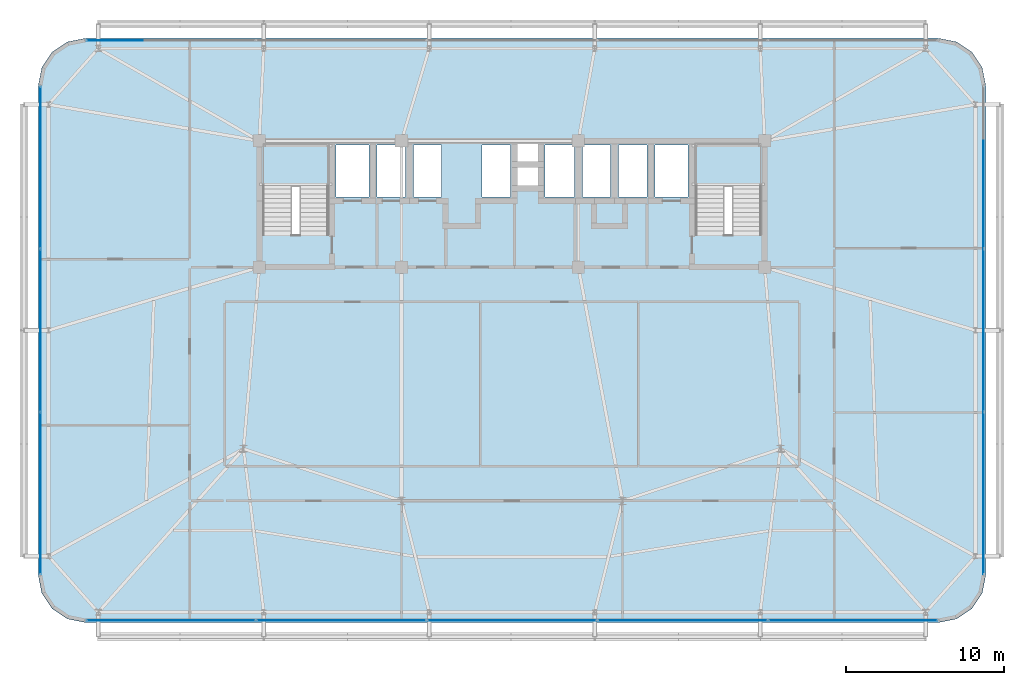
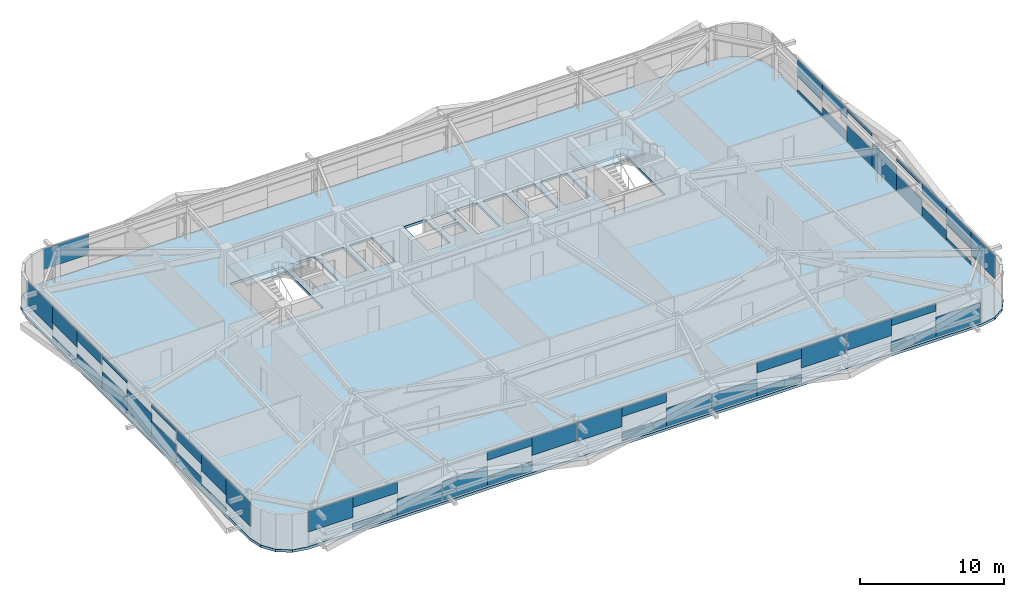
# One storey, part 29 of 44: 50 plates, 3 slabs, 6 elements without a shape of their own.
"""IFC4 building model written with IfcOpenShell, lengths in metres."""

import ifcopenshell
import ifcopenshell.guid

model = None  # the IFC model being written
_history = None  # IfcOwnerHistory: only IFC2X3 demands one
_inside = {}  # id of a spatial element -> (the spatial element, [elements in it])
_under = {}  # id of a project, library or spatial element -> (it, [spatial elements below it])
_declared = {}  # id of a project -> (the project, [libraries it declares])
_typed = {}  # id of a type object -> (the type object, [elements of that type])
_made_of = {}  # id of a material, layer set ... -> (it, [elements and type objects made of it])


def new_model(schema):
    """Start an empty IFC model of exactly this schema.

    Asked for "IFC4X3", IfcOpenShell would pick the latest addendum, in which some entities
    have other attributes; the version numbers below select the first issue.
    IFC2X3 requires an IfcOwnerHistory on every rooted entity: one is made here for all.
    """
    global model, _history
    if schema == "IFC4X3":
        model = ifcopenshell.file(schema_version=(4, 3, 0, 0))
    else:
        model = ifcopenshell.file(schema=schema)
    _inside.clear()
    _under.clear()
    _declared.clear()
    _typed.clear()
    _made_of.clear()
    _history = None
    if model.schema == "IFC2X3":
        org = make("IfcOrganization", Name="unknown")
        user = make(
            "IfcPersonAndOrganization",
            ThePerson=make("IfcPerson", FamilyName="unknown"),
            TheOrganization=org,
        )
        app = make(
            "IfcApplication",
            ApplicationDeveloper=org,
            Version="unknown",
            ApplicationFullName="unknown",
            ApplicationIdentifier="unknown",
        )
        _history = make(
            "IfcOwnerHistory",
            OwningUser=user,
            OwningApplication=app,
            ChangeAction="ADDED",
            CreationDate=0,
        )
    return model


def make(cls, **values):
    """One entity of the class cls with the attributes given. An attribute that is None is left unset."""
    return model.create_entity(
        cls, **{name: value for name, value in values.items() if value is not None}
    )


def rooted(cls, **values):
    """An entity with a GlobalId (a new one), such as an element, a storey or a relation."""
    return make(cls, GlobalId=ifcopenshell.guid.new(), OwnerHistory=_history, **values)


def si_unit(unit_type, name, prefix=None):
    """IfcSIUnit, for example si_unit("LENGTHUNIT", "METRE", prefix="MILLI")."""
    return make("IfcSIUnit", UnitType=unit_type, Prefix=prefix, Name=name)


def assignment(units):
    """IfcUnitAssignment: the units of a project."""
    return None if units is None else make("IfcUnitAssignment", Units=units)


def point(xyz):
    """IfcCartesianPoint."""
    return None if xyz is None else make("IfcCartesianPoint", Coordinates=xyz)


def direction(xyz):
    """IfcDirection."""
    return None if xyz is None else make("IfcDirection", DirectionRatios=xyz)


def frame(location, z_axis=None, x_axis=None):
    """IfcAxis2Placement3D, a coordinate frame: its origin and axes. An axis left out is left unset."""
    return make(
        "IfcAxis2Placement3D",
        Location=point(location),
        Axis=direction(z_axis),
        RefDirection=direction(x_axis),
    )


def frame_2d(location, x_axis=None):
    """IfcAxis2Placement2D, a coordinate frame in the plane: its origin and x axis."""
    return make(
        "IfcAxis2Placement2D", Location=point(location), RefDirection=direction(x_axis)
    )


def origin():
    """The frame at (0, 0, 0) with its axes left unset."""
    return frame((0.0, 0.0, 0.0))


def origin_2d():
    """The frame at (0, 0) in the plane with its x axis left unset."""
    return frame_2d((0.0, 0.0))


def place(relative_to, where):
    """IfcLocalPlacement: puts the frame where relative to a parent placement (None: the world)."""
    return make(
        "IfcLocalPlacement", PlacementRelTo=relative_to, RelativePlacement=where
    )


def context(
    kind, dimensions, precision=None, world=None, true_north=None, identifier=None
):
    """IfcGeometricRepresentationContext, for example the 3D "Model" context."""
    return make(
        "IfcGeometricRepresentationContext",
        ContextIdentifier=identifier,
        ContextType=kind,
        CoordinateSpaceDimension=dimensions,
        Precision=precision,
        WorldCoordinateSystem=world,
        TrueNorth=true_north,
    )


def subcontext(parent, identifier, kind, view, scale=None):
    """IfcGeometricRepresentationSubContext, for example "Body" below "Model"."""
    return make(
        "IfcGeometricRepresentationSubContext",
        ContextIdentifier=identifier,
        ContextType=kind,
        ParentContext=parent,
        TargetScale=scale,
        TargetView=view,
    )


def project(units=None, contexts=None):
    """IfcProject with its units and contexts."""
    return rooted(
        "IfcProject",
        Name="project",
        RepresentationContexts=contexts,
        UnitsInContext=assignment(units),
    )


def spatial(cls, under=None, at=None, **own):
    """A site, building, storey or space (cls), placed at a placement, below another one or the project."""
    s = rooted(cls, ObjectPlacement=at, **own)
    if under is not None:
        _under.setdefault(under.id(), (under, []))[1].append(s)
    return s


def polyline(points):
    """IfcPolyline through the points."""
    return make("IfcPolyline", Points=[point(p) for p in points])


def profile(cls, at=None, kind="AREA", **sizes):
    """A parametric profile (cls). Its sizes go by their IFC names, for example OverallWidth=200.0."""
    return make(cls, ProfileType=kind, Position=at, **sizes)


def rectangle(**sizes):
    """IfcRectangleProfileDef."""
    return profile("IfcRectangleProfileDef", **sizes)


def outline(outer, holes=None, kind="AREA"):
    """IfcArbitraryClosedProfileDef: a profile drawn as a closed curve; with holes, ...WithVoids."""
    if holes is None:
        return make("IfcArbitraryClosedProfileDef", ProfileType=kind, OuterCurve=outer)
    return make(
        "IfcArbitraryProfileDefWithVoids",
        ProfileType=kind,
        OuterCurve=outer,
        InnerCurves=holes,
    )


def extrude(swept, where, along, depth):
    """IfcExtrudedAreaSolid: the profile swept, set in the frame where, extruded along a direction by depth."""
    return make(
        "IfcExtrudedAreaSolid",
        SweptArea=swept,
        Position=where,
        ExtrudedDirection=direction(along),
        Depth=depth,
    )


def shape(context_of_items, identifier, shape_type, items):
    """IfcShapeRepresentation: the items that make up one representation, for example the "Body"."""
    return make(
        "IfcShapeRepresentation",
        ContextOfItems=context_of_items,
        RepresentationIdentifier=identifier,
        RepresentationType=shape_type,
        Items=items,
    )


def source(mapping_origin, context_of_items, identifier, shape_type, items):
    """IfcRepresentationMap: a shape defined once, which mapped items show again and again."""
    return make(
        "IfcRepresentationMap",
        MappingOrigin=mapping_origin,
        MappedRepresentation=shape(context_of_items, identifier, shape_type, items),
    )


def transform(
    local_origin,
    x_axis=None,
    y_axis=None,
    z_axis=None,
    scale=None,
    scale2=None,
    scale3=None,
    uniform=True,
):
    """IfcCartesianTransformationOperator3D, or its non-uniform kind. x_axis, y_axis, z_axis: its Axis1, 2, 3."""
    if uniform:
        return make(
            "IfcCartesianTransformationOperator3D",
            Axis1=direction(x_axis),
            Axis2=direction(y_axis),
            LocalOrigin=point(local_origin),
            Scale=scale,
            Axis3=direction(z_axis),
        )
    return make(
        "IfcCartesianTransformationOperator3DnonUniform",
        Axis1=direction(x_axis),
        Axis2=direction(y_axis),
        LocalOrigin=point(local_origin),
        Scale=scale,
        Axis3=direction(z_axis),
        Scale2=scale2,
        Scale3=scale3,
    )


def mapped(mapping_source, mapping_target):
    """IfcMappedItem: shows the shape of a source again, moved by a transform."""
    return make(
        "IfcMappedItem", MappingSource=mapping_source, MappingTarget=mapping_target
    )


def material(Name=None, Category=None):
    """IfcMaterial."""
    return make("IfcMaterial", Name=Name, Category=Category)


def layer(
    of_material, thickness, ventilated=None, Name=None, Category=None, Priority=None
):
    """IfcMaterialLayer: one layer of a wall or slab, of a material (None: an air gap)."""
    return make(
        "IfcMaterialLayer",
        Material=of_material,
        LayerThickness=thickness,
        IsVentilated=ventilated,
        Name=Name,
        Category=Category,
        Priority=Priority,
    )


def layer_set(layers, Name=None):
    """IfcMaterialLayerSet."""
    return make("IfcMaterialLayerSet", MaterialLayers=layers, LayerSetName=Name)


def made_of(thing, what):
    """Note that an element or type object is made of a material, layer set ...; save() writes the relation."""
    if what is not None:
        _made_of.setdefault(what.id(), (what, []))[1].append(thing)
    return thing


def type_object(cls, material=None, **own):
    """A type object (cls), such as IfcWallType, which elements share."""
    return made_of(rooted(cls, **own), material)


def element(
    cls,
    number,
    at=None,
    inside=None,
    cuts=None,
    type_object=None,
    material=None,
    context=None,
    identifier="Body",
    shape_type=None,
    held_by="IfcProductDefinitionShape",
    body=None,
    shapes=None,
    **own,
):
    """One element of the class cls, such as IfcWall. Its Tag is "e" and its number.

    at: its placement. inside: the storey or other place that contains it. cuts: it is an
    opening in that element (IfcRelVoidsElement). A single representation is given by context,
    identifier, shape_type and body (its items); several are given by shapes. held_by: the class
    of the entity that holds the representations. save() writes the other relations.
    """
    e = rooted(cls, Tag="e%d" % number, ObjectPlacement=at, **own)
    if body is not None:
        shapes = [shape(context, identifier, shape_type, body)]
    if shapes is not None:
        e.Representation = make(held_by, Representations=shapes)
    if inside is not None:
        _inside.setdefault(inside.id(), (inside, []))[1].append(e)
    if cuts is not None:
        rooted(
            "IfcRelVoidsElement", RelatingBuildingElement=cuts, RelatedOpeningElement=e
        )
    if type_object is not None:
        _typed.setdefault(type_object.id(), (type_object, []))[1].append(e)
    return made_of(e, material)


def aggregate(whole, parts):
    """IfcRelAggregates: a whole, such as a stair, and the parts it consists of."""
    return rooted("IfcRelAggregates", RelatingObject=whole, RelatedObjects=parts)


def save(model, path):
    """Write the relations noted so far, then the file.

    IfcRelAggregates (storeys below a building ...), IfcRelContainedInSpatialStructure (elements
    in a storey), IfcRelDefinesByType, IfcRelAssociatesMaterial and IfcRelDeclares: one each for
    every whole, place, type object, material and project.
    """
    for whole, parts in _under.values():
        aggregate(whole, parts)
    for where, things in _inside.values():
        rooted(
            "IfcRelContainedInSpatialStructure",
            RelatedElements=things,
            RelatingStructure=where,
        )
    for kind, things in _typed.values():
        rooted("IfcRelDefinesByType", RelatedObjects=things, RelatingType=kind)
    for what, things in _made_of.values():
        rooted("IfcRelAssociatesMaterial", RelatedObjects=things, RelatingMaterial=what)
    for by, libraries in _declared.values():
        rooted("IfcRelDeclares", RelatingContext=by, RelatedDefinitions=libraries)
    model.write(path)


model = new_model("IFC4")

# Units and contexts
model_context = context("Model", 3, precision=1e-05, world=origin(), true_north=direction((0.0, 1.0)))
body_context = subcontext(model_context, "Body", "Model", "MODEL_VIEW")
ifc_project = project(units=[si_unit("LENGTHUNIT", "METRE"), si_unit("AREAUNIT", "SQUARE_METRE"), si_unit("VOLUMEUNIT", "CUBIC_METRE"), si_unit("PLANEANGLEUNIT", "RADIAN"), si_unit("MASSUNIT", "GRAM", prefix="KILO")], contexts=[model_context])

# Site, building, storey
site_placement = place(None, origin())
site = spatial("IfcSite", under=ifc_project, at=site_placement, CompositionType="ELEMENT")
building_placement = place(site_placement, origin())
building = spatial("IfcBuilding", under=site, at=building_placement, Name="Taldren Reach Tower", CompositionType="ELEMENT")
storey_placement = place(building_placement, frame((0.0, 0.0, 42.0)))
storey = spatial("IfcBuildingStorey", under=building, at=storey_placement, Name="L12", CompositionType="ELEMENT", Elevation=42.0)

# Slab
ifc_material_1 = material(Name="Concrete N40 (40 MPa)", Category="concrete")
ifc_layer_1 = layer(ifc_material_1, 0.219970703125)
ifc_layer_set_1 = layer_set([ifc_layer_1], Name="Concrete N40 (40 MPa)")
slab_type_1 = type_object("IfcSlabType", Name="SL-FLR-220", PredefinedType="FLOOR", material=ifc_layer_set_1)
slab_1_placement = place(storey_placement, frame((0.0, 0.0, -0.219970703125)))
element("IfcSlab", 1, at=slab_1_placement, inside=storey, type_object=slab_type_1, Name="Suspended floor slab L12", PredefinedType="FLOOR", context=body_context, shape_type="SweptSolid", body=[
    extrude(outline(polyline([(62.0, 1.5), (63.14794921875, 1.728271484375), (64.121337890625, 2.378662109375), (64.771728515625, 3.35205078125), (65.0, 4.5), (65.0, 35.5), (64.771728515625, 36.64794921875), (64.121337890625, 37.621337890625), (63.14794921875, 38.271728515625), (62.0, 38.5), (8.0, 38.5), (6.85205078125, 38.271728515625), (5.878662109375, 37.621337890625), (5.228271484375, 36.64794921875), (5.0, 35.5), (5.0, 4.5), (5.228271484375, 3.35205078125), (5.878662109375, 2.378662109375), (6.85205078125, 1.728271484375), (8.0, 1.5), (62.0, 1.5)]), holes=[polyline([(19.219970703125, 26.050048828125), (23.3798828125, 26.050048828125), (23.3798828125, 31.820068359375), (19.219970703125, 31.820068359375), (19.219970703125, 26.050048828125)]), polyline([(46.6201171875, 26.050048828125), (50.780029296875, 26.050048828125), (50.780029296875, 31.820068359375), (46.6201171875, 31.820068359375), (46.6201171875, 26.050048828125)]), polyline([(23.85009765625, 28.449951171875), (25.949951171875, 28.449951171875), (25.949951171875, 31.75), (23.85009765625, 31.75), (23.85009765625, 28.449951171875)]), polyline([(44.050048828125, 28.449951171875), (46.14990234375, 28.449951171875), (46.14990234375, 31.75), (44.050048828125, 31.75), (44.050048828125, 28.449951171875)]), polyline([(26.449951171875, 28.449951171875), (28.25, 28.449951171875), (28.25, 31.75), (26.449951171875, 31.75), (26.449951171875, 28.449951171875)]), polyline([(28.75, 28.449951171875), (30.550048828125, 28.449951171875), (30.550048828125, 31.75), (28.75, 31.75), (28.75, 28.449951171875)]), polyline([(33.10009765625, 28.449951171875), (34.89990234375, 28.449951171875), (34.89990234375, 31.75), (33.10009765625, 31.75), (33.10009765625, 28.449951171875)]), polyline([(37.10009765625, 28.449951171875), (38.949951171875, 28.449951171875), (38.949951171875, 31.75), (37.10009765625, 31.75), (37.10009765625, 28.449951171875)]), polyline([(39.449951171875, 28.449951171875), (41.25, 28.449951171875), (41.25, 31.75), (39.449951171875, 31.75), (39.449951171875, 28.449951171875)]), polyline([(41.75, 28.449951171875), (43.550048828125, 28.449951171875), (43.550048828125, 31.75), (41.75, 31.75), (41.75, 28.449951171875)]), polyline([(35.35009765625, 30.64990234375), (36.64990234375, 30.64990234375), (36.64990234375, 31.85009765625), (35.35009765625, 31.85009765625), (35.35009765625, 30.64990234375)]), polyline([(35.35009765625, 29.14990234375), (36.64990234375, 29.14990234375), (36.64990234375, 30.35009765625), (35.35009765625, 30.35009765625), (35.35009765625, 29.14990234375)])]), origin(), (0.0, 0.0, 1.0), 0.219970703125),
])

# Stair, slab
ifc_material_2 = material(Name="Concrete S50 (50 MPa)", Category="concrete")
stair_type = type_object("IfcStairType", Name="ST-HT-315", PredefinedType="HALF_TURN_STAIR", material=ifc_material_2)
stair_1_placement = place(storey_placement, origin())
stair_1 = element("IfcStair", 2, at=stair_1_placement, inside=storey, type_object=stair_type, Name="Fire-isolated exit stair ST1 L12", PredefinedType="HALF_TURN_STAIR")
ifc_layer_2 = layer(ifc_material_2, 0.179931640625)
ifc_layer_set_2 = layer_set([ifc_layer_2], Name="Concrete S50 (50 MPa)")
slab_type_2 = type_object("IfcSlabType", Name="SL-LAND-180", PredefinedType="LANDING", material=ifc_layer_set_2)
slab_2_placement = place(storey_placement, frame((0.0, 0.0, 1.39501953125)))
slab_2 = element("IfcSlab", 3, at=slab_2_placement, type_object=slab_type_2, Name="ST1 landing 1", PredefinedType="LANDING", context=body_context, shape_type="SweptSolid", body=[
    extrude(outline(polyline([(19.0400390625, 29.135009765625), (23.56005859375, 29.135009765625), (23.56005859375, 31.8701171875), (19.0400390625, 31.8701171875), (19.0400390625, 29.135009765625)])), origin(), (0.0, 0.0, 1.0), 0.179931640625),
])
aggregate(stair_1, [slab_2])

stair_2_placement = place(storey_placement, origin())
stair_2 = element("IfcStair", 4, at=stair_2_placement, inside=storey, type_object=stair_type, Name="Fire-isolated exit stair ST2 L12", PredefinedType="HALF_TURN_STAIR")
slab_3_placement = place(storey_placement, frame((0.0, 0.0, 1.39501953125)))
slab_3 = element("IfcSlab", 5, at=slab_3_placement, type_object=slab_type_2, Name="ST2 landing 1", PredefinedType="LANDING", context=body_context, shape_type="SweptSolid", body=[
    extrude(outline(polyline([(46.43994140625, 29.135009765625), (50.9599609375, 29.135009765625), (50.9599609375, 31.8701171875), (46.43994140625, 31.8701171875), (46.43994140625, 29.135009765625)])), origin(), (0.0, 0.0, 1.0), 0.179931640625),
])
aggregate(stair_2, [slab_3])

# Curtain wall, plate
ifc_material_3 = material(Name="Aluminium and Low-E Glass Unitised System", Category="aluminium")
ifc_layer_3 = layer(ifc_material_3, 0.159912109375)
ifc_layer_set_3 = layer_set([ifc_layer_3], Name="Aluminium and Low-E Glass Unitised System")
curtain_wall_type = type_object("IfcCurtainWallType", Name="CW-SYS-2", PredefinedType="NOTDEFINED", material=ifc_layer_set_3)
curtain_wall_1_placement = place(storey_placement, origin())
curtain_wall_1 = element("IfcCurtainWall", 6, at=curtain_wall_1_placement, inside=storey, type_object=curtain_wall_type, Name="Unitised curtain wall CW-L12-S", PredefinedType="NOTDEFINED")
ifc_material_4 = material(Name="Solar-Control Double Glazed IGU", Category="glass")
ifc_layer_4 = layer(ifc_material_4, 0.031982421875)
ifc_layer_set_4 = layer_set([ifc_layer_4], Name="Solar-Control Double Glazed IGU")
plate_type = type_object("IfcPlateType", Name="CW-PNL-IGU32", PredefinedType="CURTAIN_PANEL", material=ifc_layer_set_4)
shared_shape_1 = source(origin(), body_context, "Body", "SweptSolid", [
    extrude(rectangle(XDim=3.5673828125, YDim=0.031982421875, at=origin_2d()), origin(), (0.0, 0.0, 1.0), 1.7314453125),
])
plate_1_placement = place(storey_placement, frame((9.8486328125, 1.639892578125, 1.1435546875), z_axis=(0.0, 0.0, 1.0), x_axis=(1.0, 0.0, 0.0)))
plate_1 = element("IfcPlate", 7, at=plate_1_placement, type_object=plate_type, Name="CW-2 panel 1.1 part 1", PredefinedType="CURTAIN_PANEL", context=body_context, shape_type="MappedRepresentation", body=[
    mapped(shared_shape_1, transform((0.0, 0.0, 0.0), scale=1.0)),
])

curtain_wall_2_placement = place(storey_placement, origin())
curtain_wall_2 = element("IfcCurtainWall", 8, at=curtain_wall_2_placement, inside=storey, type_object=curtain_wall_type, Name="Unitised curtain wall CW-L12-N", PredefinedType="NOTDEFINED")
plate_2_placement = place(storey_placement, frame((9.8486328125, 38.360107421875, 1.1435546875), z_axis=(0.0, 0.0, 1.0), x_axis=(-1.0, 0.0, 0.0)))
plate_2 = element("IfcPlate", 9, at=plate_2_placement, type_object=plate_type, Name="CW-2 panel 5.1 part 4", PredefinedType="CURTAIN_PANEL", context=body_context, shape_type="MappedRepresentation", body=[
    mapped(shared_shape_1, transform((0.0, 0.0, 0.0), scale=1.0)),
])
aggregate(curtain_wall_2, [plate_2])

# Plate
shared_shape_2 = source(origin(), body_context, "Body", "SweptSolid", [
    extrude(rectangle(XDim=3.5673828125, YDim=0.031982421875, at=origin_2d()), origin(), (0.0, 0.0, 1.0), 0.554931640625),
])
plate_3_placement = place(storey_placement, frame((13.416259765625, 1.639892578125, 0.05517578125), z_axis=(0.0, 0.0, 1.0), x_axis=(1.0, 0.0, 0.0)))
plate_3 = element("IfcPlate", 10, at=plate_3_placement, type_object=plate_type, Name="CW-2 panel 1.1 part 2", PredefinedType="CURTAIN_PANEL", context=body_context, shape_type="MappedRepresentation", body=[
    mapped(shared_shape_2, transform((0.0, 0.0, 0.0), scale=1.0)),
])

shared_shape_3 = source(origin(), body_context, "Body", "SweptSolid", [
    extrude(rectangle(XDim=3.5673828125, YDim=0.031982421875, at=origin_2d()), origin(), (0.0, 0.0, 1.0), 0.904296875),
])
plate_4_placement = place(storey_placement, frame((13.416259765625, 1.639892578125, 1.970703125), z_axis=(0.0, 0.0, 1.0), x_axis=(1.0, 0.0, 0.0)))
plate_4 = element("IfcPlate", 11, at=plate_4_placement, type_object=plate_type, Name="CW-2 panel 1.1 part 3", PredefinedType="CURTAIN_PANEL", context=body_context, shape_type="MappedRepresentation", body=[
    mapped(shared_shape_3, transform((0.0, 0.0, 0.0), scale=1.0)),
])

shared_shape_4 = source(origin(), body_context, "Body", "SweptSolid", [
    extrude(rectangle(XDim=3.5673828125, YDim=0.031982421875, at=origin_2d()), origin(), (0.0, 0.0, 1.0), 1.38232421875),
])
plate_5_placement = place(storey_placement, frame((16.983642578125, 1.639892578125, 0.054931640625), z_axis=(0.0, 0.0, 1.0), x_axis=(1.0, 0.0, 0.0)))
plate_5 = element("IfcPlate", 12, at=plate_5_placement, type_object=plate_type, Name="CW-2 panel 1.1 part 4", PredefinedType="CURTAIN_PANEL", context=body_context, shape_type="MappedRepresentation", body=[
    mapped(shared_shape_4, transform((0.0, 0.0, 0.0), scale=1.0)),
])

shared_shape_5 = source(origin(), body_context, "Body", "SweptSolid", [
    extrude(rectangle(XDim=3.578369140625, YDim=0.031982421875, at=origin_2d()), origin(), (0.0, 0.0, 1.0), 1.602294921875),
])
plate_6_placement = place(storey_placement, frame((20.62158203125, 1.639892578125, 0.05517578125), z_axis=(0.0, 0.0, 1.0), x_axis=(1.0, 0.0, 0.0)))
plate_6 = element("IfcPlate", 13, at=plate_6_placement, type_object=plate_type, Name="CW-2 panel 2.1 part 1", PredefinedType="CURTAIN_PANEL", context=body_context, shape_type="MappedRepresentation", body=[
    mapped(shared_shape_5, transform((0.0, 0.0, 0.0), scale=1.0)),
])

shared_shape_6 = source(origin(), body_context, "Body", "SweptSolid", [
    extrude(rectangle(XDim=3.578369140625, YDim=0.031982421875, at=origin_2d()), origin(), (0.0, 0.0, 1.0), 0.7724609375),
])
plate_7_placement = place(storey_placement, frame((24.199951171875, 1.639892578125, 0.05517578125), z_axis=(0.0, 0.0, 1.0), x_axis=(1.0, 0.0, 0.0)))
plate_7 = element("IfcPlate", 14, at=plate_7_placement, type_object=plate_type, Name="CW-2 panel 2.1 part 2", PredefinedType="CURTAIN_PANEL", context=body_context, shape_type="MappedRepresentation", body=[
    mapped(shared_shape_6, transform((0.0, 0.0, 0.0), scale=1.0)),
])

shared_shape_7 = source(origin(), body_context, "Body", "SweptSolid", [
    extrude(rectangle(XDim=3.578369140625, YDim=0.031982421875, at=origin_2d()), origin(), (0.0, 0.0, 1.0), 0.68408203125),
])
plate_8_placement = place(storey_placement, frame((24.199951171875, 1.639892578125, 2.19091796875), z_axis=(0.0, 0.0, 1.0), x_axis=(1.0, 0.0, 0.0)))
plate_8 = element("IfcPlate", 15, at=plate_8_placement, type_object=plate_type, Name="CW-2 panel 2.1 part 3", PredefinedType="CURTAIN_PANEL", context=body_context, shape_type="MappedRepresentation", body=[
    mapped(shared_shape_7, transform((0.0, 0.0, 0.0), scale=1.0)),
])

shared_shape_8 = source(origin(), body_context, "Body", "SweptSolid", [
    extrude(rectangle(XDim=3.578369140625, YDim=0.031982421875, at=origin_2d()), origin(), (0.0, 0.0, 1.0), 1.513916015625),
])
plate_9_placement = place(storey_placement, frame((27.7783203125, 1.639892578125, 1.361328125), z_axis=(0.0, 0.0, 1.0), x_axis=(1.0, 0.0, 0.0)))
plate_9 = element("IfcPlate", 16, at=plate_9_placement, type_object=plate_type, Name="CW-2 panel 2.1 part 4", PredefinedType="CURTAIN_PANEL", context=body_context, shape_type="MappedRepresentation", body=[
    mapped(shared_shape_8, transform((0.0, 0.0, 0.0), scale=1.0)),
])

shared_shape_9 = source(origin(), body_context, "Body", "SweptSolid", [
    extrude(rectangle(XDim=3.578369140625, YDim=0.031982421875, at=origin_2d()), origin(), (0.0, 0.0, 1.0), 1.588134765625),
])
plate_10_placement = place(storey_placement, frame((31.421630859375, 1.639892578125, 1.287109375), z_axis=(0.0, 0.0, 1.0), x_axis=(1.0, 0.0, 0.0)))
plate_10 = element("IfcPlate", 17, at=plate_10_placement, type_object=plate_type, Name="CW-2 panel 3.1 part 1", PredefinedType="CURTAIN_PANEL", context=body_context, shape_type="MappedRepresentation", body=[
    mapped(shared_shape_9, transform((0.0, 0.0, 0.0), scale=1.0)),
])

shared_shape_10 = source(origin(), body_context, "Body", "SweptSolid", [
    extrude(rectangle(XDim=3.578369140625, YDim=0.031982421875, at=origin_2d()), origin(), (0.0, 0.0, 1.0), 0.698486328125),
])
plate_11_placement = place(storey_placement, frame((35.0, 1.639892578125, 0.05517578125), z_axis=(0.0, 0.0, 1.0), x_axis=(1.0, 0.0, 0.0)))
plate_11 = element("IfcPlate", 18, at=plate_11_placement, type_object=plate_type, Name="CW-2 panel 3.1 part 2", PredefinedType="CURTAIN_PANEL", context=body_context, shape_type="MappedRepresentation", body=[
    mapped(shared_shape_10, transform((0.0, 0.0, 0.0), scale=1.0)),
])

shared_shape_11 = source(origin(), body_context, "Body", "SweptSolid", [
    extrude(rectangle(XDim=3.578369140625, YDim=0.031982421875, at=origin_2d()), origin(), (0.0, 0.0, 1.0), 0.75830078125),
])
plate_12_placement = place(storey_placement, frame((35.0, 1.639892578125, 2.11669921875), z_axis=(0.0, 0.0, 1.0), x_axis=(1.0, 0.0, 0.0)))
plate_12 = element("IfcPlate", 19, at=plate_12_placement, type_object=plate_type, Name="CW-2 panel 3.1 part 3", PredefinedType="CURTAIN_PANEL", context=body_context, shape_type="MappedRepresentation", body=[
    mapped(shared_shape_11, transform((0.0, 0.0, 0.0), scale=1.0)),
])

shared_shape_12 = source(origin(), body_context, "Body", "SweptSolid", [
    extrude(rectangle(XDim=3.578369140625, YDim=0.031982421875, at=origin_2d()), origin(), (0.0, 0.0, 1.0), 1.528076171875),
])
plate_13_placement = place(storey_placement, frame((38.578369140625, 1.639892578125, 0.05517578125), z_axis=(0.0, 0.0, 1.0), x_axis=(1.0, 0.0, 0.0)))
plate_13 = element("IfcPlate", 20, at=plate_13_placement, type_object=plate_type, Name="CW-2 panel 3.1 part 4", PredefinedType="CURTAIN_PANEL", context=body_context, shape_type="MappedRepresentation", body=[
    mapped(shared_shape_12, transform((0.0, 0.0, 0.0), scale=1.0)),
])

shared_shape_13 = source(origin(), body_context, "Body", "SweptSolid", [
    extrude(rectangle(XDim=3.578369140625, YDim=0.031982421875, at=origin_2d()), origin(), (0.0, 0.0, 1.0), 1.453857421875),
])
plate_14_placement = place(storey_placement, frame((42.2216796875, 1.639892578125, 0.05517578125), z_axis=(0.0, 0.0, 1.0), x_axis=(1.0, 0.0, 0.0)))
plate_14 = element("IfcPlate", 21, at=plate_14_placement, type_object=plate_type, Name="CW-2 panel 4.1 part 1", PredefinedType="CURTAIN_PANEL", context=body_context, shape_type="MappedRepresentation", body=[
    mapped(shared_shape_13, transform((0.0, 0.0, 0.0), scale=1.0)),
])

shared_shape_14 = source(origin(), body_context, "Body", "SweptSolid", [
    extrude(rectangle(XDim=3.578369140625, YDim=0.031982421875, at=origin_2d()), origin(), (0.0, 0.0, 1.0), 0.624267578125),
])
plate_15_placement = place(storey_placement, frame((45.800048828125, 1.639892578125, 0.05517578125), z_axis=(0.0, 0.0, 1.0), x_axis=(1.0, 0.0, 0.0)))
plate_15 = element("IfcPlate", 22, at=plate_15_placement, type_object=plate_type, Name="CW-2 panel 4.1 part 2", PredefinedType="CURTAIN_PANEL", context=body_context, shape_type="MappedRepresentation", body=[
    mapped(shared_shape_14, transform((0.0, 0.0, 0.0), scale=1.0)),
])

shared_shape_15 = source(origin(), body_context, "Body", "SweptSolid", [
    extrude(rectangle(XDim=3.578369140625, YDim=0.031982421875, at=origin_2d()), origin(), (0.0, 0.0, 1.0), 0.83251953125),
])
plate_16_placement = place(storey_placement, frame((45.800048828125, 1.639892578125, 2.04248046875), z_axis=(0.0, 0.0, 1.0), x_axis=(1.0, 0.0, 0.0)))
plate_16 = element("IfcPlate", 23, at=plate_16_placement, type_object=plate_type, Name="CW-2 panel 4.1 part 3", PredefinedType="CURTAIN_PANEL", context=body_context, shape_type="MappedRepresentation", body=[
    mapped(shared_shape_15, transform((0.0, 0.0, 0.0), scale=1.0)),
])

shared_shape_16 = source(origin(), body_context, "Body", "SweptSolid", [
    extrude(rectangle(XDim=3.578369140625, YDim=0.031982421875, at=origin_2d()), origin(), (0.0, 0.0, 1.0), 1.662353515625),
])
plate_17_placement = place(storey_placement, frame((49.37841796875, 1.639892578125, 1.212890625), z_axis=(0.0, 0.0, 1.0), x_axis=(1.0, 0.0, 0.0)))
plate_17 = element("IfcPlate", 24, at=plate_17_placement, type_object=plate_type, Name="CW-2 panel 4.1 part 4", PredefinedType="CURTAIN_PANEL", context=body_context, shape_type="MappedRepresentation", body=[
    mapped(shared_shape_16, transform((0.0, 0.0, 0.0), scale=1.0)),
])

shared_shape_17 = source(origin(), body_context, "Body", "SweptSolid", [
    extrude(rectangle(XDim=3.5673828125, YDim=0.031982421875, at=origin_2d()), origin(), (0.0, 0.0, 1.0), 1.442138671875),
])
plate_18_placement = place(storey_placement, frame((53.016357421875, 1.639892578125, 1.4326171875), z_axis=(0.0, 0.0, 1.0), x_axis=(1.0, 0.0, 0.0)))
plate_18 = element("IfcPlate", 25, at=plate_18_placement, type_object=plate_type, Name="CW-2 panel 5.1 part 1", PredefinedType="CURTAIN_PANEL", context=body_context, shape_type="MappedRepresentation", body=[
    mapped(shared_shape_17, transform((0.0, 0.0, 0.0), scale=1.0)),
])

shared_shape_18 = source(origin(), body_context, "Body", "SweptSolid", [
    extrude(rectangle(XDim=3.5673828125, YDim=0.031982421875, at=origin_2d()), origin(), (0.0, 0.0, 1.0), 0.84423828125),
])
plate_19_placement = place(storey_placement, frame((56.583740234375, 1.639892578125, 0.054931640625), z_axis=(0.0, 0.0, 1.0), x_axis=(1.0, 0.0, 0.0)))
plate_19 = element("IfcPlate", 26, at=plate_19_placement, type_object=plate_type, Name="CW-2 panel 5.1 part 2", PredefinedType="CURTAIN_PANEL", context=body_context, shape_type="MappedRepresentation", body=[
    mapped(shared_shape_18, transform((0.0, 0.0, 0.0), scale=1.0)),
])

shared_shape_19 = source(origin(), body_context, "Body", "SweptSolid", [
    extrude(rectangle(XDim=3.5673828125, YDim=0.031982421875, at=origin_2d()), origin(), (0.0, 0.0, 1.0), 0.614990234375),
])
plate_20_placement = place(storey_placement, frame((56.583740234375, 1.639892578125, 2.259765625), z_axis=(0.0, 0.0, 1.0), x_axis=(1.0, 0.0, 0.0)))
plate_20 = element("IfcPlate", 27, at=plate_20_placement, type_object=plate_type, Name="CW-2 panel 5.1 part 3", PredefinedType="CURTAIN_PANEL", context=body_context, shape_type="MappedRepresentation", body=[
    mapped(shared_shape_19, transform((0.0, 0.0, 0.0), scale=1.0)),
])

shared_shape_20 = source(origin(), body_context, "Body", "SweptSolid", [
    extrude(rectangle(XDim=3.5673828125, YDim=0.031982421875, at=origin_2d()), origin(), (0.0, 0.0, 1.0), 1.67138671875),
])
plate_21_placement = place(storey_placement, frame((60.1513671875, 1.639892578125, 0.054931640625), z_axis=(0.0, 0.0, 1.0), x_axis=(1.0, 0.0, 0.0)))
plate_21 = element("IfcPlate", 28, at=plate_21_placement, type_object=plate_type, Name="CW-2 panel 5.1 part 4", PredefinedType="CURTAIN_PANEL", context=body_context, shape_type="MappedRepresentation", body=[
    mapped(shared_shape_20, transform((0.0, 0.0, 0.0), scale=1.0)),
])

aggregate(curtain_wall_1, [plate_1, plate_3, plate_4, plate_5, plate_6, plate_7, plate_8, plate_9, plate_10, plate_11, plate_12, plate_13, plate_14, plate_15, plate_16, plate_17, plate_18, plate_19, plate_20, plate_21])

# Curtain wall, plates
curtain_wall_3_placement = place(storey_placement, origin())
curtain_wall_3 = element("IfcCurtainWall", 29, at=curtain_wall_3_placement, inside=storey, type_object=curtain_wall_type, Name="Unitised curtain wall CW-L12-W", PredefinedType="NOTDEFINED")
shared_shape_21 = source(origin(), body_context, "Body", "SweptSolid", [
    extrude(rectangle(XDim=3.411865234375, YDim=0.031982421875, at=origin_2d()), origin(), (0.0, 0.0, 1.0), 2.00439453125),
])
plate_22_placement = place(storey_placement, frame((5.139892578125, 33.72900390625, 0.87060546875), z_axis=(0.0, 0.0, 1.0), x_axis=(0.0, -1.0, 0.0)))
plate_22 = element("IfcPlate", 30, at=plate_22_placement, type_object=plate_type, Name="CW-2 panel 1.1 part 1", PredefinedType="CURTAIN_PANEL", context=body_context, shape_type="MappedRepresentation", body=[
    mapped(shared_shape_21, transform((0.0, 0.0, 0.0), scale=1.0)),
])
plate_23_placement = place(storey_placement, frame((5.139892578125, 6.27099609375, 0.87060546875), z_axis=(0.0, 0.0, 1.0), x_axis=(0.0, -1.0, 0.0)))
plate_23 = element("IfcPlate", 31, at=plate_23_placement, type_object=plate_type, Name="CW-2 panel 3.1 part 5", PredefinedType="CURTAIN_PANEL", context=body_context, shape_type="MappedRepresentation", body=[
    mapped(shared_shape_21, transform((0.0, 0.0, 0.0), scale=1.0)),
])

# Curtain wall, plate
curtain_wall_4_placement = place(storey_placement, origin())
curtain_wall_4 = element("IfcCurtainWall", 32, at=curtain_wall_4_placement, inside=storey, type_object=curtain_wall_type, Name="Unitised curtain wall CW-L12-E", PredefinedType="NOTDEFINED")
plate_24_placement = place(storey_placement, frame((64.860107421875, 6.27099609375, 0.87060546875), z_axis=(0.0, 0.0, 1.0), x_axis=(0.0, 1.0, 0.0)))
plate_24 = element("IfcPlate", 33, at=plate_24_placement, type_object=plate_type, Name="CW-2 panel 1.1 part 1", PredefinedType="CURTAIN_PANEL", context=body_context, shape_type="MappedRepresentation", body=[
    mapped(shared_shape_21, transform((0.0, 0.0, 0.0), scale=1.0)),
])

# Plate
shared_shape_22 = source(origin(), body_context, "Body", "SweptSolid", [
    extrude(rectangle(XDim=3.411865234375, YDim=0.031982421875, at=origin_2d()), origin(), (0.0, 0.0, 1.0), 0.288330078125),
])
plate_25_placement = place(storey_placement, frame((5.139892578125, 30.317138671875, 0.05517578125), z_axis=(0.0, 0.0, 1.0), x_axis=(0.0, -1.0, 0.0)))
plate_25 = element("IfcPlate", 34, at=plate_25_placement, type_object=plate_type, Name="CW-2 panel 1.1 part 2", PredefinedType="CURTAIN_PANEL", context=body_context, shape_type="MappedRepresentation", body=[
    mapped(shared_shape_22, transform((0.0, 0.0, 0.0), scale=1.0)),
])

plate_26_placement = place(storey_placement, frame((5.139892578125, 9.682861328125, 0.05517578125), z_axis=(0.0, 0.0, 1.0), x_axis=(0.0, -1.0, 0.0)))
plate_26 = element("IfcPlate", 35, at=plate_26_placement, type_object=plate_type, Name="CW-2 panel 3.1 part 3", PredefinedType="CURTAIN_PANEL", context=body_context, shape_type="MappedRepresentation", body=[
    mapped(shared_shape_22, transform((0.0, 0.0, 0.0), scale=1.0)),
])

plate_27_placement = place(storey_placement, frame((64.860107421875, 9.682861328125, 0.05517578125), z_axis=(0.0, 0.0, 1.0), x_axis=(0.0, 1.0, 0.0)))
plate_27 = element("IfcPlate", 36, at=plate_27_placement, type_object=plate_type, Name="CW-2 panel 1.1 part 2", PredefinedType="CURTAIN_PANEL", context=body_context, shape_type="MappedRepresentation", body=[
    mapped(shared_shape_22, transform((0.0, 0.0, 0.0), scale=1.0)),
])

plate_28_placement = place(storey_placement, frame((64.860107421875, 30.317138671875, 0.05517578125), z_axis=(0.0, 0.0, 1.0), x_axis=(0.0, 1.0, 0.0)))
plate_28 = element("IfcPlate", 37, at=plate_28_placement, type_object=plate_type, Name="CW-2 panel 3.1 part 3", PredefinedType="CURTAIN_PANEL", context=body_context, shape_type="MappedRepresentation", body=[
    mapped(shared_shape_22, transform((0.0, 0.0, 0.0), scale=1.0)),
])

shared_shape_23 = source(origin(), body_context, "Body", "SweptSolid", [
    extrude(rectangle(XDim=3.411865234375, YDim=0.031982421875, at=origin_2d()), origin(), (0.0, 0.0, 1.0), 1.424560546875),
])
plate_29_placement = place(storey_placement, frame((5.139892578125, 30.317138671875, 1.4501953125), z_axis=(0.0, 0.0, 1.0), x_axis=(0.0, -1.0, 0.0)))
plate_29 = element("IfcPlate", 38, at=plate_29_placement, type_object=plate_type, Name="CW-2 panel 1.1 part 3", PredefinedType="CURTAIN_PANEL", context=body_context, shape_type="MappedRepresentation", body=[
    mapped(shared_shape_23, transform((0.0, 0.0, 0.0), scale=1.0)),
])

plate_30_placement = place(storey_placement, frame((5.139892578125, 9.682861328125, 1.4501953125), z_axis=(0.0, 0.0, 1.0), x_axis=(0.0, -1.0, 0.0)))
plate_30 = element("IfcPlate", 39, at=plate_30_placement, type_object=plate_type, Name="CW-2 panel 3.1 part 4", PredefinedType="CURTAIN_PANEL", context=body_context, shape_type="MappedRepresentation", body=[
    mapped(shared_shape_23, transform((0.0, 0.0, 0.0), scale=1.0)),
])

plate_31_placement = place(storey_placement, frame((64.860107421875, 9.682861328125, 1.4501953125), z_axis=(0.0, 0.0, 1.0), x_axis=(0.0, 1.0, 0.0)))
plate_31 = element("IfcPlate", 40, at=plate_31_placement, type_object=plate_type, Name="CW-2 panel 1.1 part 3", PredefinedType="CURTAIN_PANEL", context=body_context, shape_type="MappedRepresentation", body=[
    mapped(shared_shape_23, transform((0.0, 0.0, 0.0), scale=1.0)),
])

plate_32_placement = place(storey_placement, frame((64.860107421875, 30.317138671875, 1.4501953125), z_axis=(0.0, 0.0, 1.0), x_axis=(0.0, 1.0, 0.0)))
plate_32 = element("IfcPlate", 41, at=plate_32_placement, type_object=plate_type, Name="CW-2 panel 3.1 part 4", PredefinedType="CURTAIN_PANEL", context=body_context, shape_type="MappedRepresentation", body=[
    mapped(shared_shape_23, transform((0.0, 0.0, 0.0), scale=1.0)),
])

shared_shape_24 = source(origin(), body_context, "Body", "SweptSolid", [
    extrude(rectangle(XDim=3.411865234375, YDim=0.031982421875, at=origin_2d()), origin(), (0.0, 0.0, 1.0), 0.8681640625),
])
plate_33_placement = place(storey_placement, frame((5.139892578125, 26.905029296875, 0.054931640625), z_axis=(0.0, 0.0, 1.0), x_axis=(0.0, -1.0, 0.0)))
plate_33 = element("IfcPlate", 42, at=plate_33_placement, type_object=plate_type, Name="CW-2 panel 1.1 part 4", PredefinedType="CURTAIN_PANEL", context=body_context, shape_type="MappedRepresentation", body=[
    mapped(shared_shape_24, transform((0.0, 0.0, 0.0), scale=1.0)),
])

plate_34_placement = place(storey_placement, frame((5.139892578125, 13.094970703125, 0.054931640625), z_axis=(0.0, 0.0, 1.0), x_axis=(0.0, -1.0, 0.0)))
plate_34 = element("IfcPlate", 43, at=plate_34_placement, type_object=plate_type, Name="CW-2 panel 3.1 part 1", PredefinedType="CURTAIN_PANEL", context=body_context, shape_type="MappedRepresentation", body=[
    mapped(shared_shape_24, transform((0.0, 0.0, 0.0), scale=1.0)),
])

plate_35_placement = place(storey_placement, frame((64.860107421875, 13.094970703125, 0.054931640625), z_axis=(0.0, 0.0, 1.0), x_axis=(0.0, 1.0, 0.0)))
plate_35 = element("IfcPlate", 44, at=plate_35_placement, type_object=plate_type, Name="CW-2 panel 1.1 part 4", PredefinedType="CURTAIN_PANEL", context=body_context, shape_type="MappedRepresentation", body=[
    mapped(shared_shape_24, transform((0.0, 0.0, 0.0), scale=1.0)),
])

plate_36_placement = place(storey_placement, frame((64.860107421875, 26.905029296875, 0.054931640625), z_axis=(0.0, 0.0, 1.0), x_axis=(0.0, 1.0, 0.0)))
plate_36 = element("IfcPlate", 45, at=plate_36_placement, type_object=plate_type, Name="CW-2 panel 3.1 part 1", PredefinedType="CURTAIN_PANEL", context=body_context, shape_type="MappedRepresentation", body=[
    mapped(shared_shape_24, transform((0.0, 0.0, 0.0), scale=1.0)),
])

shared_shape_25 = source(origin(), body_context, "Body", "SweptSolid", [
    extrude(rectangle(XDim=3.411865234375, YDim=0.031982421875, at=origin_2d()), origin(), (0.0, 0.0, 1.0), 0.8447265625),
])
plate_37_placement = place(storey_placement, frame((5.139892578125, 26.905029296875, 2.0302734375), z_axis=(0.0, 0.0, 1.0), x_axis=(0.0, -1.0, 0.0)))
plate_37 = element("IfcPlate", 46, at=plate_37_placement, type_object=plate_type, Name="CW-2 panel 1.1 part 5", PredefinedType="CURTAIN_PANEL", context=body_context, shape_type="MappedRepresentation", body=[
    mapped(shared_shape_25, transform((0.0, 0.0, 0.0), scale=1.0)),
])

plate_38_placement = place(storey_placement, frame((5.139892578125, 13.094970703125, 2.0302734375), z_axis=(0.0, 0.0, 1.0), x_axis=(0.0, -1.0, 0.0)))
plate_38 = element("IfcPlate", 47, at=plate_38_placement, type_object=plate_type, Name="CW-2 panel 3.1 part 2", PredefinedType="CURTAIN_PANEL", context=body_context, shape_type="MappedRepresentation", body=[
    mapped(shared_shape_25, transform((0.0, 0.0, 0.0), scale=1.0)),
])

plate_39_placement = place(storey_placement, frame((64.860107421875, 13.094970703125, 2.0302734375), z_axis=(0.0, 0.0, 1.0), x_axis=(0.0, 1.0, 0.0)))
plate_39 = element("IfcPlate", 48, at=plate_39_placement, type_object=plate_type, Name="CW-2 panel 1.1 part 5", PredefinedType="CURTAIN_PANEL", context=body_context, shape_type="MappedRepresentation", body=[
    mapped(shared_shape_25, transform((0.0, 0.0, 0.0), scale=1.0)),
])

plate_40_placement = place(storey_placement, frame((64.860107421875, 26.905029296875, 2.0302734375), z_axis=(0.0, 0.0, 1.0), x_axis=(0.0, 1.0, 0.0)))
plate_40 = element("IfcPlate", 49, at=plate_40_placement, type_object=plate_type, Name="CW-2 panel 3.1 part 2", PredefinedType="CURTAIN_PANEL", context=body_context, shape_type="MappedRepresentation", body=[
    mapped(shared_shape_25, transform((0.0, 0.0, 0.0), scale=1.0)),
])

shared_shape_26 = source(origin(), body_context, "Body", "SweptSolid", [
    extrude(rectangle(XDim=3.4228515625, YDim=0.031982421875, at=origin_2d()), origin(), (0.0, 0.0, 1.0), 1.458984375),
])
plate_41_placement = place(storey_placement, frame((5.139892578125, 23.4228515625, 0.054931640625), z_axis=(0.0, 0.0, 1.0), x_axis=(0.0, -1.0, 0.0)))
plate_41 = element("IfcPlate", 50, at=plate_41_placement, type_object=plate_type, Name="CW-2 panel 2.1 part 1", PredefinedType="CURTAIN_PANEL", context=body_context, shape_type="MappedRepresentation", body=[
    mapped(shared_shape_26, transform((0.0, 0.0, 0.0), scale=1.0)),
])

plate_42_placement = place(storey_placement, frame((5.139892578125, 16.5771484375, 0.054931640625), z_axis=(0.0, 0.0, 1.0), x_axis=(0.0, -1.0, 0.0)))
plate_42 = element("IfcPlate", 51, at=plate_42_placement, type_object=plate_type, Name="CW-2 panel 2.1 part 4", PredefinedType="CURTAIN_PANEL", context=body_context, shape_type="MappedRepresentation", body=[
    mapped(shared_shape_26, transform((0.0, 0.0, 0.0), scale=1.0)),
])

plate_43_placement = place(storey_placement, frame((64.860107421875, 16.5771484375, 0.054931640625), z_axis=(0.0, 0.0, 1.0), x_axis=(0.0, 1.0, 0.0)))
plate_43 = element("IfcPlate", 52, at=plate_43_placement, type_object=plate_type, Name="CW-2 panel 2.1 part 1", PredefinedType="CURTAIN_PANEL", context=body_context, shape_type="MappedRepresentation", body=[
    mapped(shared_shape_26, transform((0.0, 0.0, 0.0), scale=1.0)),
])

plate_44_placement = place(storey_placement, frame((64.860107421875, 23.4228515625, 0.054931640625), z_axis=(0.0, 0.0, 1.0), x_axis=(0.0, 1.0, 0.0)))
plate_44 = element("IfcPlate", 53, at=plate_44_placement, type_object=plate_type, Name="CW-2 panel 2.1 part 4", PredefinedType="CURTAIN_PANEL", context=body_context, shape_type="MappedRepresentation", body=[
    mapped(shared_shape_26, transform((0.0, 0.0, 0.0), scale=1.0)),
])

shared_shape_27 = source(origin(), body_context, "Body", "SweptSolid", [
    extrude(rectangle(XDim=3.4228515625, YDim=0.031982421875, at=origin_2d()), origin(), (0.0, 0.0, 1.0), 0.252197265625),
])
plate_45_placement = place(storey_placement, frame((5.139892578125, 23.4228515625, 2.623046875), z_axis=(0.0, 0.0, 1.0), x_axis=(0.0, -1.0, 0.0)))
plate_45 = element("IfcPlate", 54, at=plate_45_placement, type_object=plate_type, Name="CW-2 panel 2.1 part 2", PredefinedType="CURTAIN_PANEL", context=body_context, shape_type="MappedRepresentation", body=[
    mapped(shared_shape_27, transform((0.0, 0.0, 0.0), scale=1.0)),
])

plate_46_placement = place(storey_placement, frame((5.139892578125, 16.5771484375, 2.623046875), z_axis=(0.0, 0.0, 1.0), x_axis=(0.0, -1.0, 0.0)))
plate_46 = element("IfcPlate", 55, at=plate_46_placement, type_object=plate_type, Name="CW-2 panel 2.1 part 5", PredefinedType="CURTAIN_PANEL", context=body_context, shape_type="MappedRepresentation", body=[
    mapped(shared_shape_27, transform((0.0, 0.0, 0.0), scale=1.0)),
])

plate_47_placement = place(storey_placement, frame((64.860107421875, 16.5771484375, 2.623046875), z_axis=(0.0, 0.0, 1.0), x_axis=(0.0, 1.0, 0.0)))
plate_47 = element("IfcPlate", 56, at=plate_47_placement, type_object=plate_type, Name="CW-2 panel 2.1 part 2", PredefinedType="CURTAIN_PANEL", context=body_context, shape_type="MappedRepresentation", body=[
    mapped(shared_shape_27, transform((0.0, 0.0, 0.0), scale=1.0)),
])

plate_48_placement = place(storey_placement, frame((64.860107421875, 23.4228515625, 2.623046875), z_axis=(0.0, 0.0, 1.0), x_axis=(0.0, 1.0, 0.0)))
plate_48 = element("IfcPlate", 57, at=plate_48_placement, type_object=plate_type, Name="CW-2 panel 2.1 part 5", PredefinedType="CURTAIN_PANEL", context=body_context, shape_type="MappedRepresentation", body=[
    mapped(shared_shape_27, transform((0.0, 0.0, 0.0), scale=1.0)),
])

shared_shape_28 = source(origin(), body_context, "Body", "SweptSolid", [
    extrude(rectangle(XDim=3.4228515625, YDim=0.031982421875, at=origin_2d()), origin(), (0.0, 0.0, 1.0), 2.04052734375),
])
plate_49_placement = place(storey_placement, frame((5.139892578125, 20.0, 0.054931640625), z_axis=(0.0, 0.0, 1.0), x_axis=(0.0, -1.0, 0.0)))
plate_49 = element("IfcPlate", 58, at=plate_49_placement, type_object=plate_type, Name="CW-2 panel 2.1 part 3", PredefinedType="CURTAIN_PANEL", context=body_context, shape_type="MappedRepresentation", body=[
    mapped(shared_shape_28, transform((0.0, 0.0, 0.0), scale=1.0)),
])

aggregate(curtain_wall_3, [plate_22, plate_25, plate_29, plate_33, plate_37, plate_41, plate_45, plate_49, plate_42, plate_46, plate_34, plate_38, plate_26, plate_30, plate_23])

plate_50_placement = place(storey_placement, frame((64.860107421875, 20.0, 0.054931640625), z_axis=(0.0, 0.0, 1.0), x_axis=(0.0, 1.0, 0.0)))
plate_50 = element("IfcPlate", 59, at=plate_50_placement, type_object=plate_type, Name="CW-2 panel 2.1 part 3", PredefinedType="CURTAIN_PANEL", context=body_context, shape_type="MappedRepresentation", body=[
    mapped(shared_shape_28, transform((0.0, 0.0, 0.0), scale=1.0)),
])

aggregate(curtain_wall_4, [plate_24, plate_27, plate_31, plate_35, plate_39, plate_43, plate_47, plate_50, plate_44, plate_48, plate_36, plate_40, plate_28, plate_32])

save(model, "model.ifc")
